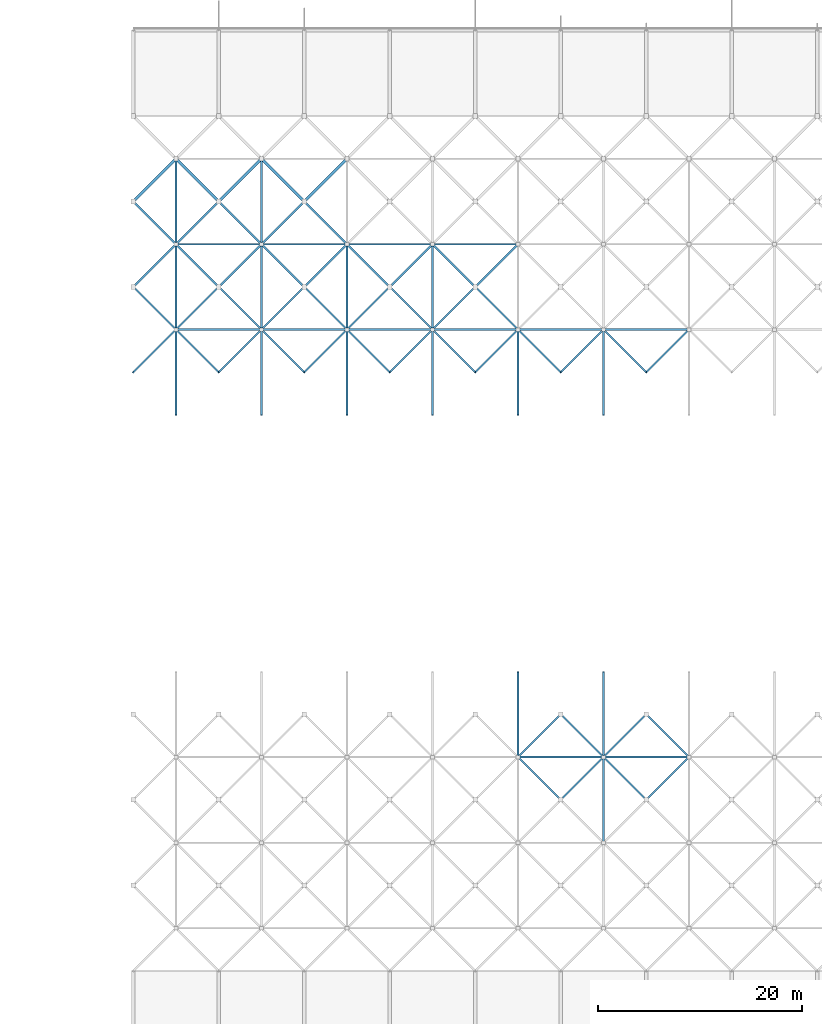
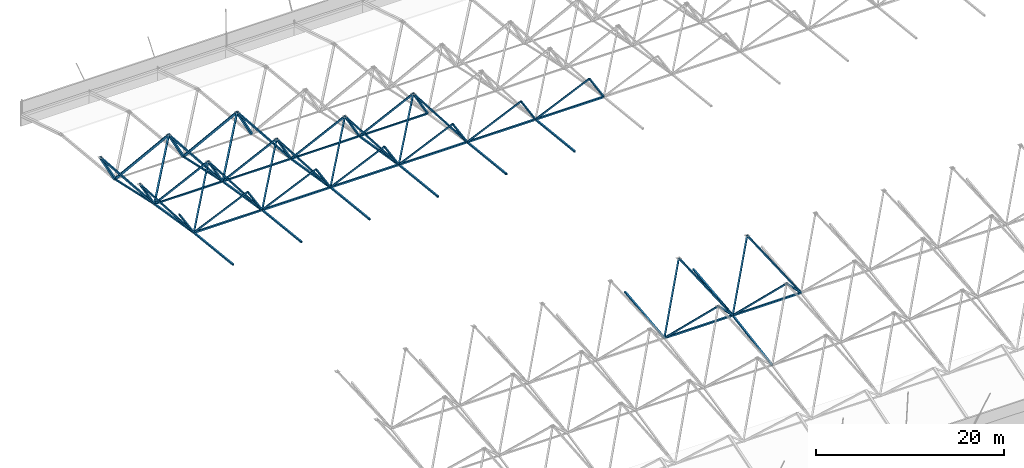
# One storey, part 19 of 85: 76 members.
"""IFC4 building model written with IfcOpenShell, lengths in metres."""

import ifcopenshell
import ifcopenshell.guid

model = None  # the IFC model being written
_history = None  # IfcOwnerHistory: only IFC2X3 demands one
_inside = {}  # id of a spatial element -> (the spatial element, [elements in it])
_under = {}  # id of a project, library or spatial element -> (it, [spatial elements below it])
_declared = {}  # id of a project -> (the project, [libraries it declares])
_typed = {}  # id of a type object -> (the type object, [elements of that type])
_made_of = {}  # id of a material, layer set ... -> (it, [elements and type objects made of it])


def new_model(schema):
    """Start an empty IFC model of exactly this schema.

    Asked for "IFC4X3", IfcOpenShell would pick the latest addendum, in which some entities
    have other attributes; the version numbers below select the first issue.
    IFC2X3 requires an IfcOwnerHistory on every rooted entity: one is made here for all.
    """
    global model, _history
    if schema == "IFC4X3":
        model = ifcopenshell.file(schema_version=(4, 3, 0, 0))
    else:
        model = ifcopenshell.file(schema=schema)
    _inside.clear()
    _under.clear()
    _declared.clear()
    _typed.clear()
    _made_of.clear()
    _history = None
    if model.schema == "IFC2X3":
        org = make("IfcOrganization", Name="unknown")
        user = make(
            "IfcPersonAndOrganization",
            ThePerson=make("IfcPerson", FamilyName="unknown"),
            TheOrganization=org,
        )
        app = make(
            "IfcApplication",
            ApplicationDeveloper=org,
            Version="unknown",
            ApplicationFullName="unknown",
            ApplicationIdentifier="unknown",
        )
        _history = make(
            "IfcOwnerHistory",
            OwningUser=user,
            OwningApplication=app,
            ChangeAction="ADDED",
            CreationDate=0,
        )
    return model


def make(cls, **values):
    """One entity of the class cls with the attributes given. An attribute that is None is left unset."""
    return model.create_entity(
        cls, **{name: value for name, value in values.items() if value is not None}
    )


def rooted(cls, **values):
    """An entity with a GlobalId (a new one), such as an element, a storey or a relation."""
    return make(cls, GlobalId=ifcopenshell.guid.new(), OwnerHistory=_history, **values)


def si_unit(unit_type, name, prefix=None):
    """IfcSIUnit, for example si_unit("LENGTHUNIT", "METRE", prefix="MILLI")."""
    return make("IfcSIUnit", UnitType=unit_type, Prefix=prefix, Name=name)


def assignment(units):
    """IfcUnitAssignment: the units of a project."""
    return None if units is None else make("IfcUnitAssignment", Units=units)


def point(xyz):
    """IfcCartesianPoint."""
    return None if xyz is None else make("IfcCartesianPoint", Coordinates=xyz)


def direction(xyz):
    """IfcDirection."""
    return None if xyz is None else make("IfcDirection", DirectionRatios=xyz)


def frame(location, z_axis=None, x_axis=None):
    """IfcAxis2Placement3D, a coordinate frame: its origin and axes. An axis left out is left unset."""
    return make(
        "IfcAxis2Placement3D",
        Location=point(location),
        Axis=direction(z_axis),
        RefDirection=direction(x_axis),
    )


def frame_2d(location, x_axis=None):
    """IfcAxis2Placement2D, a coordinate frame in the plane: its origin and x axis."""
    return make(
        "IfcAxis2Placement2D", Location=point(location), RefDirection=direction(x_axis)
    )


def origin():
    """The frame at (0, 0, 0) with its axes left unset."""
    return frame((0.0, 0.0, 0.0))


def origin_2d():
    """The frame at (0, 0) in the plane with its x axis left unset."""
    return frame_2d((0.0, 0.0))


def place(relative_to, where):
    """IfcLocalPlacement: puts the frame where relative to a parent placement (None: the world)."""
    return make(
        "IfcLocalPlacement", PlacementRelTo=relative_to, RelativePlacement=where
    )


def context(
    kind, dimensions, precision=None, world=None, true_north=None, identifier=None
):
    """IfcGeometricRepresentationContext, for example the 3D "Model" context."""
    return make(
        "IfcGeometricRepresentationContext",
        ContextIdentifier=identifier,
        ContextType=kind,
        CoordinateSpaceDimension=dimensions,
        Precision=precision,
        WorldCoordinateSystem=world,
        TrueNorth=true_north,
    )


def subcontext(parent, identifier, kind, view, scale=None):
    """IfcGeometricRepresentationSubContext, for example "Body" below "Model"."""
    return make(
        "IfcGeometricRepresentationSubContext",
        ContextIdentifier=identifier,
        ContextType=kind,
        ParentContext=parent,
        TargetScale=scale,
        TargetView=view,
    )


def project(units=None, contexts=None):
    """IfcProject with its units and contexts."""
    return rooted(
        "IfcProject",
        Name="project",
        RepresentationContexts=contexts,
        UnitsInContext=assignment(units),
    )


def spatial(cls, under=None, at=None, **own):
    """A site, building, storey or space (cls), placed at a placement, below another one or the project."""
    s = rooted(cls, ObjectPlacement=at, **own)
    if under is not None:
        _under.setdefault(under.id(), (under, []))[1].append(s)
    return s


def profile(cls, at=None, kind="AREA", **sizes):
    """A parametric profile (cls). Its sizes go by their IFC names, for example OverallWidth=200.0."""
    return make(cls, ProfileType=kind, Position=at, **sizes)


def hollow_rectangle(**sizes):
    """IfcRectangleHollowProfileDef."""
    return profile("IfcRectangleHollowProfileDef", **sizes)


def extrude(swept, where, along, depth):
    """IfcExtrudedAreaSolid: the profile swept, set in the frame where, extruded along a direction by depth."""
    return make(
        "IfcExtrudedAreaSolid",
        SweptArea=swept,
        Position=where,
        ExtrudedDirection=direction(along),
        Depth=depth,
    )


def shape(context_of_items, identifier, shape_type, items):
    """IfcShapeRepresentation: the items that make up one representation, for example the "Body"."""
    return make(
        "IfcShapeRepresentation",
        ContextOfItems=context_of_items,
        RepresentationIdentifier=identifier,
        RepresentationType=shape_type,
        Items=items,
    )


def material(Name=None, Category=None):
    """IfcMaterial."""
    return make("IfcMaterial", Name=Name, Category=Category)


def material_profile(
    of_material, cross_section, Name=None, Category=None, Priority=None
):
    """IfcMaterialProfile: a cross section and its material."""
    return make(
        "IfcMaterialProfile",
        Name=Name,
        Material=of_material,
        Profile=cross_section,
        Priority=Priority,
        Category=Category,
    )


def profile_set(profiles, Name=None, composite=None):
    """IfcMaterialProfileSet."""
    return make(
        "IfcMaterialProfileSet",
        Name=Name,
        MaterialProfiles=profiles,
        CompositeProfile=composite,
    )


def made_of(thing, what):
    """Note that an element or type object is made of a material, layer set ...; save() writes the relation."""
    if what is not None:
        _made_of.setdefault(what.id(), (what, []))[1].append(thing)
    return thing


def type_object(cls, material=None, **own):
    """A type object (cls), such as IfcWallType, which elements share."""
    return made_of(rooted(cls, **own), material)


def element(
    cls,
    number,
    at=None,
    inside=None,
    cuts=None,
    type_object=None,
    material=None,
    context=None,
    identifier="Body",
    shape_type=None,
    held_by="IfcProductDefinitionShape",
    body=None,
    shapes=None,
    **own,
):
    """One element of the class cls, such as IfcWall. Its Tag is "e" and its number.

    at: its placement. inside: the storey or other place that contains it. cuts: it is an
    opening in that element (IfcRelVoidsElement). A single representation is given by context,
    identifier, shape_type and body (its items); several are given by shapes. held_by: the class
    of the entity that holds the representations. save() writes the other relations.
    """
    e = rooted(cls, Tag="e%d" % number, ObjectPlacement=at, **own)
    if body is not None:
        shapes = [shape(context, identifier, shape_type, body)]
    if shapes is not None:
        e.Representation = make(held_by, Representations=shapes)
    if inside is not None:
        _inside.setdefault(inside.id(), (inside, []))[1].append(e)
    if cuts is not None:
        rooted(
            "IfcRelVoidsElement", RelatingBuildingElement=cuts, RelatedOpeningElement=e
        )
    if type_object is not None:
        _typed.setdefault(type_object.id(), (type_object, []))[1].append(e)
    return made_of(e, material)


def aggregate(whole, parts):
    """IfcRelAggregates: a whole, such as a stair, and the parts it consists of."""
    return rooted("IfcRelAggregates", RelatingObject=whole, RelatedObjects=parts)


def save(model, path):
    """Write the relations noted so far, then the file.

    IfcRelAggregates (storeys below a building ...), IfcRelContainedInSpatialStructure (elements
    in a storey), IfcRelDefinesByType, IfcRelAssociatesMaterial and IfcRelDeclares: one each for
    every whole, place, type object, material and project.
    """
    for whole, parts in _under.values():
        aggregate(whole, parts)
    for where, things in _inside.values():
        rooted(
            "IfcRelContainedInSpatialStructure",
            RelatedElements=things,
            RelatingStructure=where,
        )
    for kind, things in _typed.values():
        rooted("IfcRelDefinesByType", RelatedObjects=things, RelatingType=kind)
    for what, things in _made_of.values():
        rooted("IfcRelAssociatesMaterial", RelatedObjects=things, RelatingMaterial=what)
    for by, libraries in _declared.values():
        rooted("IfcRelDeclares", RelatingContext=by, RelatedDefinitions=libraries)
    model.write(path)


model = new_model("IFC4")

# Units and contexts
model_context = context("Model", 3, precision=1e-05, world=origin(), true_north=direction((0.0, 1.0)))
body_context = subcontext(model_context, "Body", "Model", "MODEL_VIEW")
ifc_project = project(units=[si_unit("LENGTHUNIT", "METRE"), si_unit("AREAUNIT", "SQUARE_METRE"), si_unit("VOLUMEUNIT", "CUBIC_METRE"), si_unit("PLANEANGLEUNIT", "RADIAN"), si_unit("MASSUNIT", "GRAM", prefix="KILO")], contexts=[model_context])

# Site, building, storey
site_placement = place(None, origin())
site = spatial("IfcSite", under=ifc_project, at=site_placement, CompositionType="ELEMENT")
building_placement = place(site_placement, origin())
building = spatial("IfcBuilding", under=site, at=building_placement, Name="Rain Tree Exposition and Congress Centre", CompositionType="ELEMENT")
storey_placement = place(building_placement, frame((0.0, 0.0, 15.0)))
storey = spatial("IfcBuildingStorey", under=building, at=storey_placement, Name="L03", CompositionType="ELEMENT", Elevation=15.0)

# Members
ifc_material_1 = material(Name="Steel S355J2H", Category="steel")
ifc_material_profile_1 = material_profile(ifc_material_1, hollow_rectangle(XDim=0.175048828125, YDim=0.175048828125, WallThickness=0.006103515625, at=origin_2d()), Name="RHS 175x175x6")
ifc_profile_set_1 = profile_set([ifc_material_profile_1], Name="Steel S355J2H")
member_type_1 = type_object("IfcMemberType", Name="Steel brace member RHS 175x175x6", PredefinedType="BRACE", material=ifc_profile_set_1)
member_1_placement = place(storey_placement, frame((46.199951171875, 130.199951171875, 3.974609375), z_axis=(0.531205549126, -0.531205549126, 0.660031309223), x_axis=(0.707106781187, 0.707106781187, 0.0)))
element("IfcMember", 1, at=member_1_placement, inside=storey, type_object=member_type_1, Name="Diagonal 637", PredefinedType="BRACE", context=body_context, shape_type="SweptSolid", body=[
    extrude(hollow_rectangle(XDim=0.175048828125, YDim=0.175048828125, WallThickness=0.006103515625, at=origin_2d()), origin(), (0.0, 0.0, 1.0), 7.906494140625),
])
member_2_placement = place(storey_placement, frame((46.199951171875, 130.199951171875, 3.974609375), z_axis=(0.48244694752, 0.48244694752, 0.73108815177), x_axis=(-0.707106781187, 0.707106781187, 0.0)))
element("IfcMember", 2, at=member_2_placement, inside=storey, type_object=member_type_1, Name="Diagonal 639", PredefinedType="BRACE", context=body_context, shape_type="SweptSolid", body=[
    extrude(hollow_rectangle(XDim=0.175048828125, YDim=0.175048828125, WallThickness=0.006103515625, at=origin_2d()), origin(), (0.0, 0.0, 1.0), 8.70556640625),
])
for number, where, z_axis, x_axis, name in (
    (3, (54.60009765625, 130.199951171875, 3.974609375), (-0.531227713919, -0.531196835768, 0.660020482738), (0.70708622964, -0.707127332136, 0.0), "Diagonal 642"),
    (4, (54.60009765625, 130.199951171875, 3.974609375), (0.531205549126, -0.531205549126, 0.660031309223), (0.707106781187, 0.707106781187, 0.0), "Diagonal 643"),
):
    element("IfcMember", number, at=place(storey_placement, frame(where, z_axis=z_axis, x_axis=x_axis)), inside=storey, type_object=member_type_1, Name=name, PredefinedType="BRACE", context=body_context, shape_type="SweptSolid", body=[
        extrude(hollow_rectangle(XDim=0.175048828125, YDim=0.175048828125, WallThickness=0.006103515625, at=origin_2d()), origin(), (0.0, 0.0, 1.0), 7.906494140625),
    ])
for number, where, z_axis, x_axis, name in (
    (5, (54.60009765625, 130.199951171875, 3.974609375), (-0.482468463969, 0.482440419998, 0.731078260125), (-0.70708622964, -0.707127332136, 0.0), "Diagonal 644"),
    (6, (54.60009765625, 130.199951171875, 3.974609375), (0.48244694752, 0.48244694752, 0.73108815177), (-0.707106781187, 0.707106781187, 0.0), "Diagonal 645"),
):
    element("IfcMember", number, at=place(storey_placement, frame(where, z_axis=z_axis, x_axis=x_axis)), inside=storey, type_object=member_type_1, Name=name, PredefinedType="BRACE", context=body_context, shape_type="SweptSolid", body=[
        extrude(hollow_rectangle(XDim=0.175048828125, YDim=0.175048828125, WallThickness=0.006103515625, at=origin_2d()), origin(), (0.0, 0.0, 1.0), 8.70556640625),
    ])
member_3_placement = place(storey_placement, frame((63.0, 130.199951171875, 3.974609375), z_axis=(-0.531205549126, -0.531205549126, 0.660031309223), x_axis=(0.707106781187, -0.707106781187, 0.0)))
element("IfcMember", 7, at=member_3_placement, inside=storey, type_object=member_type_1, Name="Diagonal 648", PredefinedType="BRACE", context=body_context, shape_type="SweptSolid", body=[
    extrude(hollow_rectangle(XDim=0.175048828125, YDim=0.175048828125, WallThickness=0.006103515625, at=origin_2d()), origin(), (0.0, 0.0, 1.0), 7.906494140625),
])
for number, where, z_axis, x_axis, name in (
    (8, (63.0, 130.199951171875, 3.974609375), (-0.48244694752, 0.48244694752, 0.73108815177), (-0.707106781187, -0.707106781187, 0.0), "Diagonal 650"),
    (9, (12.60009765625, 172.199951171875, 3.974609375), (-0.482468463969, -0.482440419998, 0.731078260125), (0.70708622964, -0.707127332136, 0.0), "Diagonal 1027"),
    (10, (12.60009765625, 172.199951171875, 3.974609375), (0.48244694752, -0.48244694752, 0.73108815177), (0.707106781187, 0.707106781187, 0.0), "Diagonal 1028"),
):
    element("IfcMember", number, at=place(storey_placement, frame(where, z_axis=z_axis, x_axis=x_axis)), inside=storey, type_object=member_type_1, Name=name, PredefinedType="BRACE", context=body_context, shape_type="SweptSolid", body=[
        extrude(hollow_rectangle(XDim=0.175048828125, YDim=0.175048828125, WallThickness=0.006103515625, at=origin_2d()), origin(), (0.0, 0.0, 1.0), 8.70556640625),
    ])
for number, where, z_axis, x_axis, name in (
    (11, (12.60009765625, 172.199951171875, 3.974609375), (-0.531227713919, 0.531196835768, 0.660020482738), (-0.70708622964, -0.707127332136, 0.0), "Diagonal 1029"),
    (12, (12.60009765625, 172.199951171875, 3.974609375), (0.531205549126, 0.531205549126, 0.660031309223), (-0.707106781187, 0.707106781187, 0.0), "Diagonal 1030"),
):
    element("IfcMember", number, at=place(storey_placement, frame(where, z_axis=z_axis, x_axis=x_axis)), inside=storey, type_object=member_type_1, Name=name, PredefinedType="BRACE", context=body_context, shape_type="SweptSolid", body=[
        extrude(hollow_rectangle(XDim=0.175048828125, YDim=0.175048828125, WallThickness=0.006103515625, at=origin_2d()), origin(), (0.0, 0.0, 1.0), 7.906494140625),
    ])
for number, where, z_axis, x_axis, name in (
    (13, (21.0, 172.199951171875, 3.974609375), (-0.48244694752, -0.48244694752, 0.73108815177), (0.707106781187, -0.707106781187, 0.0), "Diagonal 1033"),
    (14, (21.0, 172.199951171875, 3.974609375), (0.48244694752, -0.48244694752, 0.73108815177), (0.707106781187, 0.707106781187, 0.0), "Diagonal 1034"),
):
    element("IfcMember", number, at=place(storey_placement, frame(where, z_axis=z_axis, x_axis=x_axis)), inside=storey, type_object=member_type_1, Name=name, PredefinedType="BRACE", context=body_context, shape_type="SweptSolid", body=[
        extrude(hollow_rectangle(XDim=0.175048828125, YDim=0.175048828125, WallThickness=0.006103515625, at=origin_2d()), origin(), (0.0, 0.0, 1.0), 8.70556640625),
    ])
for number, where, z_axis, x_axis, name in (
    (15, (21.0, 172.199951171875, 3.974609375), (-0.531205549126, 0.531205549126, 0.660031309223), (-0.707106781187, -0.707106781187, 0.0), "Diagonal 1035"),
    (16, (21.0, 172.199951171875, 3.974609375), (0.531205549126, 0.531205549126, 0.660031309223), (-0.707106781187, 0.707106781187, 0.0), "Diagonal 1036"),
):
    element("IfcMember", number, at=place(storey_placement, frame(where, z_axis=z_axis, x_axis=x_axis)), inside=storey, type_object=member_type_1, Name=name, PredefinedType="BRACE", context=body_context, shape_type="SweptSolid", body=[
        extrude(hollow_rectangle(XDim=0.175048828125, YDim=0.175048828125, WallThickness=0.006103515625, at=origin_2d()), origin(), (0.0, 0.0, 1.0), 7.906494140625),
    ])
for number, where, z_axis, x_axis, name in (
    (17, (29.39990234375, 172.199951171875, 3.974609375), (-0.48244694752, -0.48244694752, 0.73108815177), (0.707106781187, -0.707106781187, 0.0), "Diagonal 1039"),
    (18, (29.39990234375, 172.199951171875, 3.974609375), (0.482468463969, -0.482440419998, 0.731078260125), (0.70708622964, 0.707127332136, 0.0), "Diagonal 1040"),
):
    element("IfcMember", number, at=place(storey_placement, frame(where, z_axis=z_axis, x_axis=x_axis)), inside=storey, type_object=member_type_1, Name=name, PredefinedType="BRACE", context=body_context, shape_type="SweptSolid", body=[
        extrude(hollow_rectangle(XDim=0.175048828125, YDim=0.175048828125, WallThickness=0.006103515625, at=origin_2d()), origin(), (0.0, 0.0, 1.0), 8.70556640625),
    ])
for number, where, z_axis, x_axis, name in (
    (19, (29.39990234375, 172.199951171875, 3.974609375), (-0.531205549126, 0.531205549126, 0.660031309223), (-0.707106781187, -0.707106781187, 0.0), "Diagonal 1041"),
    (20, (29.39990234375, 172.199951171875, 3.974609375), (0.531227713919, 0.531196835768, 0.660020482738), (-0.70708622964, 0.707127332136, 0.0), "Diagonal 1042"),
):
    element("IfcMember", number, at=place(storey_placement, frame(where, z_axis=z_axis, x_axis=x_axis)), inside=storey, type_object=member_type_1, Name=name, PredefinedType="BRACE", context=body_context, shape_type="SweptSolid", body=[
        extrude(hollow_rectangle(XDim=0.175048828125, YDim=0.175048828125, WallThickness=0.006103515625, at=origin_2d()), origin(), (0.0, 0.0, 1.0), 7.906494140625),
    ])
for number, where, z_axis, x_axis, name in (
    (21, (37.800048828125, 172.199951171875, 3.974609375), (-0.48244694752, -0.48244694752, 0.73108815177), (0.707106781187, -0.707106781187, 0.0), "Diagonal 1045"),
    (22, (37.800048828125, 172.199951171875, 3.974609375), (0.48244694752, -0.48244694752, 0.73108815177), (0.707106781187, 0.707106781187, 0.0), "Diagonal 1046"),
):
    element("IfcMember", number, at=place(storey_placement, frame(where, z_axis=z_axis, x_axis=x_axis)), inside=storey, type_object=member_type_1, Name=name, PredefinedType="BRACE", context=body_context, shape_type="SweptSolid", body=[
        extrude(hollow_rectangle(XDim=0.175048828125, YDim=0.175048828125, WallThickness=0.006103515625, at=origin_2d()), origin(), (0.0, 0.0, 1.0), 8.70556640625),
    ])
for number, where, z_axis, x_axis, name in (
    (23, (37.800048828125, 172.199951171875, 3.974609375), (-0.531205549126, 0.531205549126, 0.660031309223), (-0.707106781187, -0.707106781187, 0.0), "Diagonal 1047"),
    (24, (37.800048828125, 172.199951171875, 3.974609375), (0.531205549126, 0.531205549126, 0.660031309223), (-0.707106781187, 0.707106781187, 0.0), "Diagonal 1048"),
):
    element("IfcMember", number, at=place(storey_placement, frame(where, z_axis=z_axis, x_axis=x_axis)), inside=storey, type_object=member_type_1, Name=name, PredefinedType="BRACE", context=body_context, shape_type="SweptSolid", body=[
        extrude(hollow_rectangle(XDim=0.175048828125, YDim=0.175048828125, WallThickness=0.006103515625, at=origin_2d()), origin(), (0.0, 0.0, 1.0), 7.906494140625),
    ])
for number, where, z_axis, x_axis, name in (
    (25, (46.199951171875, 172.199951171875, 3.974609375), (-0.48244694752, -0.48244694752, 0.73108815177), (0.707106781187, -0.707106781187, 0.0), "Diagonal 1051"),
    (26, (46.199951171875, 172.199951171875, 3.974609375), (0.48244694752, -0.48244694752, 0.73108815177), (0.707106781187, 0.707106781187, 0.0), "Diagonal 1052"),
):
    element("IfcMember", number, at=place(storey_placement, frame(where, z_axis=z_axis, x_axis=x_axis)), inside=storey, type_object=member_type_1, Name=name, PredefinedType="BRACE", context=body_context, shape_type="SweptSolid", body=[
        extrude(hollow_rectangle(XDim=0.175048828125, YDim=0.175048828125, WallThickness=0.006103515625, at=origin_2d()), origin(), (0.0, 0.0, 1.0), 8.70556640625),
    ])
member_4_placement = place(storey_placement, frame((46.199951171875, 172.199951171875, 3.974609375), z_axis=(-0.531205549126, 0.531205549126, 0.660031309223), x_axis=(-0.707106781187, -0.707106781187, 0.0)))
element("IfcMember", 27, at=member_4_placement, inside=storey, type_object=member_type_1, Name="Diagonal 1053", PredefinedType="BRACE", context=body_context, shape_type="SweptSolid", body=[
    extrude(hollow_rectangle(XDim=0.175048828125, YDim=0.175048828125, WallThickness=0.006103515625, at=origin_2d()), origin(), (0.0, 0.0, 1.0), 7.906494140625),
])
for number, where, z_axis, x_axis, name in (
    (28, (54.60009765625, 172.199951171875, 3.974609375), (-0.482468463969, -0.482440419998, 0.731078260125), (0.70708622964, -0.707127332136, 0.0), "Diagonal 1057"),
    (29, (54.60009765625, 172.199951171875, 3.974609375), (0.48244694752, -0.48244694752, 0.73108815177), (0.707106781187, 0.707106781187, 0.0), "Diagonal 1058"),
    (30, (63.0, 172.199951171875, 3.974609375), (-0.48244694752, -0.48244694752, 0.73108815177), (0.707106781187, -0.707106781187, 0.0), "Diagonal 1063"),
):
    element("IfcMember", number, at=place(storey_placement, frame(where, z_axis=z_axis, x_axis=x_axis)), inside=storey, type_object=member_type_1, Name=name, PredefinedType="BRACE", context=body_context, shape_type="SweptSolid", body=[
        extrude(hollow_rectangle(XDim=0.175048828125, YDim=0.175048828125, WallThickness=0.006103515625, at=origin_2d()), origin(), (0.0, 0.0, 1.0), 8.70556640625),
    ])
ifc_material_2 = material(Name="Steel S355J2H", Category="steel")
ifc_material_profile_2 = material_profile(ifc_material_2, hollow_rectangle(XDim=0.199951171875, YDim=0.199951171875, WallThickness=0.009033203125, at=origin_2d()), Name="RHS 200x200x9")
ifc_profile_set_2 = profile_set([ifc_material_profile_2], Name="Steel S355J2H")
member_type_2 = type_object("IfcMemberType", Name="Steel brace member RHS 200x200x9", PredefinedType="BRACE", material=ifc_profile_set_2)
member_5_placement = place(storey_placement, frame((12.60009765625, 180.60009765625, 2.593505859375), z_axis=(-0.473043785931, -0.473043785931, 0.743275960316), x_axis=(0.707106781187, -0.707106781187, 0.0)))
element("IfcMember", 31, at=member_5_placement, inside=storey, type_object=member_type_2, Name="Diagonal 1110", PredefinedType="BRACE", context=body_context, shape_type="SweptSolid", body=[
    extrude(hollow_rectangle(XDim=0.199951171875, YDim=0.199951171875, WallThickness=0.009033203125, at=origin_2d()), origin(), (0.0, 0.0, 1.0), 8.879150390625),
])
member_6_placement = place(storey_placement, frame((12.60009765625, 180.60009765625, 2.593505859375), z_axis=(0.473022442189, -0.473049938698, 0.743285627928), x_axis=(0.707127332136, 0.70708622964, 0.0)))
element("IfcMember", 32, at=member_6_placement, inside=storey, type_object=member_type_2, Name="Diagonal 1111", PredefinedType="BRACE", context=body_context, shape_type="SweptSolid", body=[
    extrude(hollow_rectangle(XDim=0.199951171875, YDim=0.199951171875, WallThickness=0.009033203125, at=origin_2d()), origin(), (0.0, 0.0, 1.0), 8.87890625),
])
member_7_placement = place(storey_placement, frame((12.60009765625, 180.60009765625, 2.593505859375), z_axis=(-0.541842377579, 0.54181088244, 0.642532338119), x_axis=(-0.70708622964, -0.707127332136, 0.0)))
element("IfcMember", 33, at=member_7_placement, inside=storey, type_object=member_type_2, Name="Diagonal 1112", PredefinedType="BRACE", context=body_context, shape_type="SweptSolid", body=[
    extrude(hollow_rectangle(XDim=0.199951171875, YDim=0.199951171875, WallThickness=0.009033203125, at=origin_2d()), origin(), (0.0, 0.0, 1.0), 7.751708984375),
])
member_8_placement = place(storey_placement, frame((12.60009765625, 180.60009765625, 2.593505859375), z_axis=(0.541820128628, 0.541820128628, 0.642543303153), x_axis=(-0.707106781187, 0.707106781187, 0.0)))
element("IfcMember", 34, at=member_8_placement, inside=storey, type_object=member_type_2, Name="Diagonal 1113", PredefinedType="BRACE", context=body_context, shape_type="SweptSolid", body=[
    extrude(hollow_rectangle(XDim=0.199951171875, YDim=0.199951171875, WallThickness=0.009033203125, at=origin_2d()), origin(), (0.0, 0.0, 1.0), 7.75146484375),
])
for number, where, z_axis, x_axis, name in (
    (35, (21.0, 180.60009765625, 2.593505859375), (-0.473022442189, -0.473049938698, 0.743285627928), (0.707127332136, -0.70708622964, 0.0), "Diagonal 1116"),
    (36, (21.0, 180.60009765625, 2.593505859375), (0.473022442189, -0.473049938698, 0.743285627928), (0.707127332136, 0.70708622964, 0.0), "Diagonal 1117"),
):
    element("IfcMember", number, at=place(storey_placement, frame(where, z_axis=z_axis, x_axis=x_axis)), inside=storey, type_object=member_type_2, Name=name, PredefinedType="BRACE", context=body_context, shape_type="SweptSolid", body=[
        extrude(hollow_rectangle(XDim=0.199951171875, YDim=0.199951171875, WallThickness=0.009033203125, at=origin_2d()), origin(), (0.0, 0.0, 1.0), 8.87890625),
    ])
for number, where, z_axis, x_axis, name in (
    (37, (21.0, 180.60009765625, 2.593505859375), (-0.541820128628, 0.541820128628, 0.642543303153), (-0.707106781187, -0.707106781187, 0.0), "Diagonal 1118"),
    (38, (21.0, 180.60009765625, 2.593505859375), (0.541820128628, 0.541820128628, 0.642543303153), (-0.707106781187, 0.707106781187, 0.0), "Diagonal 1119"),
):
    element("IfcMember", number, at=place(storey_placement, frame(where, z_axis=z_axis, x_axis=x_axis)), inside=storey, type_object=member_type_2, Name=name, PredefinedType="BRACE", context=body_context, shape_type="SweptSolid", body=[
        extrude(hollow_rectangle(XDim=0.199951171875, YDim=0.199951171875, WallThickness=0.009033203125, at=origin_2d()), origin(), (0.0, 0.0, 1.0), 7.75146484375),
    ])
member_9_placement = place(storey_placement, frame((29.39990234375, 180.60009765625, 2.593505859375), z_axis=(-0.473022442189, -0.473049938698, 0.743285627928), x_axis=(0.707127332136, -0.70708622964, 0.0)))
element("IfcMember", 39, at=member_9_placement, inside=storey, type_object=member_type_2, Name="Diagonal 1122", PredefinedType="BRACE", context=body_context, shape_type="SweptSolid", body=[
    extrude(hollow_rectangle(XDim=0.199951171875, YDim=0.199951171875, WallThickness=0.009033203125, at=origin_2d()), origin(), (0.0, 0.0, 1.0), 8.87890625),
])
member_10_placement = place(storey_placement, frame((29.39990234375, 180.60009765625, 2.593505859375), z_axis=(0.473043785931, -0.473043785931, 0.743275960316), x_axis=(0.707106781187, 0.707106781187, 0.0)))
element("IfcMember", 40, at=member_10_placement, inside=storey, type_object=member_type_2, Name="Diagonal 1123", PredefinedType="BRACE", context=body_context, shape_type="SweptSolid", body=[
    extrude(hollow_rectangle(XDim=0.199951171875, YDim=0.199951171875, WallThickness=0.009033203125, at=origin_2d()), origin(), (0.0, 0.0, 1.0), 8.879150390625),
])
member_11_placement = place(storey_placement, frame((29.39990234375, 180.60009765625, 2.593505859375), z_axis=(-0.541820128628, 0.541820128628, 0.642543303153), x_axis=(-0.707106781187, -0.707106781187, 0.0)))
element("IfcMember", 41, at=member_11_placement, inside=storey, type_object=member_type_2, Name="Diagonal 1124", PredefinedType="BRACE", context=body_context, shape_type="SweptSolid", body=[
    extrude(hollow_rectangle(XDim=0.199951171875, YDim=0.199951171875, WallThickness=0.009033203125, at=origin_2d()), origin(), (0.0, 0.0, 1.0), 7.75146484375),
])
for number, where, z_axis, x_axis, name in (
    (42, (37.800048828125, 180.60009765625, 2.593505859375), (-0.473022442189, -0.473049938698, 0.743285627928), (0.707127332136, -0.70708622964, 0.0), "Diagonal 1128"),
    (43, (37.800048828125, 180.60009765625, 2.593505859375), (0.473022442189, -0.473049938698, 0.743285627928), (0.707127332136, 0.70708622964, 0.0), "Diagonal 1129"),
    (44, (46.199951171875, 180.60009765625, 2.593505859375), (-0.473022442189, -0.473049938698, 0.743285627928), (0.707127332136, -0.70708622964, 0.0), "Diagonal 1134"),
):
    element("IfcMember", number, at=place(storey_placement, frame(where, z_axis=z_axis, x_axis=x_axis)), inside=storey, type_object=member_type_2, Name=name, PredefinedType="BRACE", context=body_context, shape_type="SweptSolid", body=[
        extrude(hollow_rectangle(XDim=0.199951171875, YDim=0.199951171875, WallThickness=0.009033203125, at=origin_2d()), origin(), (0.0, 0.0, 1.0), 8.87890625),
    ])
ifc_material_3 = material(Name="Steel S355J2H", Category="steel")
ifc_material_profile_3 = material_profile(ifc_material_3, hollow_rectangle(XDim=0.25, YDim=0.25, WallThickness=0.006103515625, at=origin_2d()), Name="RHS 250x250x6")
ifc_profile_set_3 = profile_set([ifc_material_profile_3], Name="Steel S355J2H")
member_type_3 = type_object("IfcMemberType", Name="Steel brace member RHS 250x250x6", PredefinedType="BRACE", material=ifc_profile_set_3)
member_12_placement = place(storey_placement, frame((12.60009765625, 189.0, 0.732666015625), z_axis=(-0.463585081915, -0.46355813556, 0.755117690682), x_axis=(0.70708622964, -0.707127332136, 0.0)))
element("IfcMember", 45, at=member_12_placement, inside=storey, type_object=member_type_3, Name="Diagonal 1193", PredefinedType="BRACE", context=body_context, shape_type="SweptSolid", body=[
    extrude(hollow_rectangle(XDim=0.25, YDim=0.25, WallThickness=0.006103515625, at=origin_2d()), origin(), (0.0, 0.0, 1.0), 9.060302734375),
])
for number, where, z_axis, x_axis, name in (
    (46, (12.60009765625, 189.0, 0.732666015625), (0.463563926235, -0.463563926235, 0.755127123461), (0.707106781187, 0.707106781187, 0.0), "Diagonal 1194"),
    (47, (21.0, 189.0, 0.732666015625), (-0.463563926235, -0.463563926235, 0.755127123461), (0.707106781187, -0.707106781187, 0.0), "Diagonal 1199"),
    (48, (21.0, 189.0, 0.732666015625), (0.463563926235, -0.463563926235, 0.755127123461), (0.707106781187, 0.707106781187, 0.0), "Diagonal 1200"),
    (49, (29.39990234375, 189.0, 0.732666015625), (-0.463563926235, -0.463563926235, 0.755127123461), (0.707106781187, -0.707106781187, 0.0), "Diagonal 1205"),
):
    element("IfcMember", number, at=place(storey_placement, frame(where, z_axis=z_axis, x_axis=x_axis)), inside=storey, type_object=member_type_3, Name=name, PredefinedType="BRACE", context=body_context, shape_type="SweptSolid", body=[
        extrude(hollow_rectangle(XDim=0.25, YDim=0.25, WallThickness=0.006103515625, at=origin_2d()), origin(), (0.0, 0.0, 1.0), 9.06005859375),
    ])
ifc_material_4 = material(Name="Steel S355J2H", Category="steel")
ifc_material_profile_4 = material_profile(ifc_material_4, hollow_rectangle(XDim=0.175048828125, YDim=0.175048828125, WallThickness=0.006103515625, at=origin_2d()), Name="RHS 175x175x6")
ifc_profile_set_4 = profile_set([ifc_material_profile_4], Name="Steel S355J2H")
member_type_4 = type_object("IfcMemberType", Name="Steel chord member RHS 175x175x6", PredefinedType="CHORD", material=ifc_profile_set_4)
member_13_placement = place(storey_placement, frame((12.60009765625, 180.60009765625, 2.593505859375), z_axis=(1.0, 0.0, 0.0), x_axis=(0.0, 1.0, 0.0)))
element("IfcMember", 50, at=member_13_placement, inside=storey, type_object=member_type_4, Name="Bottom chord 1114", PredefinedType="CHORD", context=body_context, shape_type="SweptSolid", body=[
    extrude(hollow_rectangle(XDim=0.175048828125, YDim=0.175048828125, WallThickness=0.006103515625, at=origin_2d()), origin(), (0.0, 0.0, 1.0), 8.39990234375),
])
member_14_placement = place(storey_placement, frame((12.60009765625, 180.60009765625, 2.593505859375), z_axis=(0.0, 0.976329733604, -0.21628742747), x_axis=(-1.0, 0.0, 0.0)))
element("IfcMember", 51, at=member_14_placement, inside=storey, type_object=member_type_4, Name="Bottom chord 1115", PredefinedType="CHORD", context=body_context, shape_type="SweptSolid", body=[
    extrude(hollow_rectangle(XDim=0.175048828125, YDim=0.175048828125, WallThickness=0.006103515625, at=origin_2d()), origin(), (0.0, 0.0, 1.0), 8.603515625),
])
member_15_placement = place(storey_placement, frame((21.0, 180.60009765625, 2.593505859375), z_axis=(1.0, 0.0, 0.0), x_axis=(0.0, 1.0, 0.0)))
element("IfcMember", 52, at=member_15_placement, inside=storey, type_object=member_type_4, Name="Bottom chord 1120", PredefinedType="CHORD", context=body_context, shape_type="SweptSolid", body=[
    extrude(hollow_rectangle(XDim=0.175048828125, YDim=0.175048828125, WallThickness=0.006103515625, at=origin_2d()), origin(), (0.0, 0.0, 1.0), 8.39990234375),
])
member_16_placement = place(storey_placement, frame((21.0, 180.60009765625, 2.593505859375), z_axis=(0.0, 0.976329733604, -0.21628742747), x_axis=(-1.0, 0.0, 0.0)))
element("IfcMember", 53, at=member_16_placement, inside=storey, type_object=member_type_4, Name="Bottom chord 1121", PredefinedType="CHORD", context=body_context, shape_type="SweptSolid", body=[
    extrude(hollow_rectangle(XDim=0.175048828125, YDim=0.175048828125, WallThickness=0.006103515625, at=origin_2d()), origin(), (0.0, 0.0, 1.0), 8.603515625),
])
member_17_placement = place(storey_placement, frame((29.39990234375, 180.60009765625, 2.593505859375), z_axis=(1.0, 0.0, 0.0), x_axis=(0.0, 1.0, 0.0)))
element("IfcMember", 54, at=member_17_placement, inside=storey, type_object=member_type_4, Name="Bottom chord 1126", PredefinedType="CHORD", context=body_context, shape_type="SweptSolid", body=[
    extrude(hollow_rectangle(XDim=0.175048828125, YDim=0.175048828125, WallThickness=0.006103515625, at=origin_2d()), origin(), (0.0, 0.0, 1.0), 8.400146484375),
])
member_18_placement = place(storey_placement, frame((37.800048828125, 180.60009765625, 2.593505859375), z_axis=(1.0, 0.0, 0.0), x_axis=(0.0, 1.0, 0.0)))
element("IfcMember", 55, at=member_18_placement, inside=storey, type_object=member_type_4, Name="Bottom chord 1132", PredefinedType="CHORD", context=body_context, shape_type="SweptSolid", body=[
    extrude(hollow_rectangle(XDim=0.175048828125, YDim=0.175048828125, WallThickness=0.006103515625, at=origin_2d()), origin(), (0.0, 0.0, 1.0), 8.39990234375),
])
ifc_material_5 = material(Name="Steel S355J2H", Category="steel")
ifc_material_profile_5 = material_profile(ifc_material_5, hollow_rectangle(XDim=0.199951171875, YDim=0.199951171875, WallThickness=0.009033203125, at=origin_2d()), Name="RHS 200x200x9")
ifc_profile_set_5 = profile_set([ifc_material_profile_5], Name="Steel S355J2H")
member_type_5 = type_object("IfcMemberType", Name="Steel chord member RHS 200x200x9", PredefinedType="CHORD", material=ifc_profile_set_5)
member_19_placement = place(storey_placement, frame((54.60009765625, 121.800048828125, 2.593505859375), z_axis=(0.0, 0.986751221358, 0.162240645795), x_axis=(-1.0, 0.0, 0.0)))
element("IfcMember", 56, at=member_19_placement, inside=storey, type_object=member_type_5, Name="Bottom chord 564", PredefinedType="CHORD", context=body_context, shape_type="SweptSolid", body=[
    extrude(hollow_rectangle(XDim=0.199951171875, YDim=0.199951171875, WallThickness=0.009033203125, at=origin_2d()), origin(), (0.0, 0.0, 1.0), 8.5126953125),
])
member_20_placement = place(storey_placement, frame((46.199951171875, 130.199951171875, 3.974609375), z_axis=(1.0, 0.0, 0.0), x_axis=(0.0, 1.0, 0.0)))
element("IfcMember", 57, at=member_20_placement, inside=storey, type_object=member_type_5, Name="Bottom chord 640", PredefinedType="CHORD", context=body_context, shape_type="SweptSolid", body=[
    extrude(hollow_rectangle(XDim=0.199951171875, YDim=0.199951171875, WallThickness=0.009033203125, at=origin_2d()), origin(), (0.0, 0.0, 1.0), 8.400146484375),
])
member_21_placement = place(storey_placement, frame((46.199951171875, 130.199951171875, 3.974609375), z_axis=(0.0, 0.994137916016, 0.108119396685), x_axis=(-1.0, 0.0, 0.0)))
element("IfcMember", 58, at=member_21_placement, inside=storey, type_object=member_type_5, Name="Bottom chord 641", PredefinedType="CHORD", context=body_context, shape_type="SweptSolid", body=[
    extrude(hollow_rectangle(XDim=0.199951171875, YDim=0.199951171875, WallThickness=0.009033203125, at=origin_2d()), origin(), (0.0, 0.0, 1.0), 8.44970703125),
])
member_22_placement = place(storey_placement, frame((54.60009765625, 130.199951171875, 3.974609375), z_axis=(1.0, 0.0, 0.0), x_axis=(0.0, 1.0, 0.0)))
element("IfcMember", 59, at=member_22_placement, inside=storey, type_object=member_type_5, Name="Bottom chord 646", PredefinedType="CHORD", context=body_context, shape_type="SweptSolid", body=[
    extrude(hollow_rectangle(XDim=0.199951171875, YDim=0.199951171875, WallThickness=0.009033203125, at=origin_2d()), origin(), (0.0, 0.0, 1.0), 8.39990234375),
])
member_23_placement = place(storey_placement, frame((54.60009765625, 130.199951171875, 3.974609375), z_axis=(0.0, 0.994137916016, 0.108119396685), x_axis=(-1.0, 0.0, 0.0)))
element("IfcMember", 60, at=member_23_placement, inside=storey, type_object=member_type_5, Name="Bottom chord 647", PredefinedType="CHORD", context=body_context, shape_type="SweptSolid", body=[
    extrude(hollow_rectangle(XDim=0.199951171875, YDim=0.199951171875, WallThickness=0.009033203125, at=origin_2d()), origin(), (0.0, 0.0, 1.0), 8.44970703125),
])
for number, where, z_axis, x_axis, name in (
    (61, (12.60009765625, 163.800048828125, 4.88818359375), (0.0, 0.994137578242, -0.108122502406), (-1.0, 0.0, 0.0), "Bottom chord 949"),
    (62, (21.0, 163.800048828125, 4.88818359375), (0.0, 0.994137578242, -0.108122502406), (-1.0, 0.0, 0.0), "Bottom chord 955"),
    (63, (29.39990234375, 163.800048828125, 4.88818359375), (0.0, 0.994137578242, -0.108122502406), (-1.0, 0.0, 0.0), "Bottom chord 961"),
    (64, (37.800048828125, 163.800048828125, 4.88818359375), (0.0, 0.994137578242, -0.108122502406), (-1.0, 0.0, 0.0), "Bottom chord 967"),
    (65, (46.199951171875, 163.800048828125, 4.88818359375), (0.0, 0.994137578242, -0.108122502406), (-1.0, 0.0, 0.0), "Bottom chord 973"),
    (66, (54.60009765625, 163.800048828125, 4.88818359375), (0.0, 0.994137578242, -0.108122502406), (-1.0, 0.0, 0.0), "Bottom chord 979"),
):
    element("IfcMember", number, at=place(storey_placement, frame(where, z_axis=z_axis, x_axis=x_axis)), inside=storey, type_object=member_type_5, Name=name, PredefinedType="CHORD", context=body_context, shape_type="SweptSolid", body=[
        extrude(hollow_rectangle(XDim=0.199951171875, YDim=0.199951171875, WallThickness=0.009033203125, at=origin_2d()), origin(), (0.0, 0.0, 1.0), 8.449462890625),
    ])
member_24_placement = place(storey_placement, frame((12.60009765625, 172.199951171875, 3.974609375), z_axis=(1.0, 0.0, 0.0), x_axis=(0.0, 1.0, 0.0)))
element("IfcMember", 67, at=member_24_placement, inside=storey, type_object=member_type_5, Name="Bottom chord 1031", PredefinedType="CHORD", context=body_context, shape_type="SweptSolid", body=[
    extrude(hollow_rectangle(XDim=0.199951171875, YDim=0.199951171875, WallThickness=0.009033203125, at=origin_2d()), origin(), (0.0, 0.0, 1.0), 8.39990234375),
])
member_25_placement = place(storey_placement, frame((12.60009765625, 172.199951171875, 3.974609375), z_axis=(0.0, 0.986751976232, -0.162236054569), x_axis=(-1.0, 0.0, 0.0)))
element("IfcMember", 68, at=member_25_placement, inside=storey, type_object=member_type_5, Name="Bottom chord 1032", PredefinedType="CHORD", context=body_context, shape_type="SweptSolid", body=[
    extrude(hollow_rectangle(XDim=0.199951171875, YDim=0.199951171875, WallThickness=0.009033203125, at=origin_2d()), origin(), (0.0, 0.0, 1.0), 8.512939453125),
])
member_26_placement = place(storey_placement, frame((21.0, 172.199951171875, 3.974609375), z_axis=(1.0, 0.0, 0.0), x_axis=(0.0, 1.0, 0.0)))
element("IfcMember", 69, at=member_26_placement, inside=storey, type_object=member_type_5, Name="Bottom chord 1037", PredefinedType="CHORD", context=body_context, shape_type="SweptSolid", body=[
    extrude(hollow_rectangle(XDim=0.199951171875, YDim=0.199951171875, WallThickness=0.009033203125, at=origin_2d()), origin(), (0.0, 0.0, 1.0), 8.39990234375),
])
member_27_placement = place(storey_placement, frame((21.0, 172.199951171875, 3.974609375), z_axis=(0.0, 0.986751976232, -0.162236054569), x_axis=(-1.0, 0.0, 0.0)))
element("IfcMember", 70, at=member_27_placement, inside=storey, type_object=member_type_5, Name="Bottom chord 1038", PredefinedType="CHORD", context=body_context, shape_type="SweptSolid", body=[
    extrude(hollow_rectangle(XDim=0.199951171875, YDim=0.199951171875, WallThickness=0.009033203125, at=origin_2d()), origin(), (0.0, 0.0, 1.0), 8.512939453125),
])
member_28_placement = place(storey_placement, frame((29.39990234375, 172.199951171875, 3.974609375), z_axis=(1.0, 0.0, 0.0), x_axis=(0.0, 1.0, 0.0)))
element("IfcMember", 71, at=member_28_placement, inside=storey, type_object=member_type_5, Name="Bottom chord 1043", PredefinedType="CHORD", context=body_context, shape_type="SweptSolid", body=[
    extrude(hollow_rectangle(XDim=0.199951171875, YDim=0.199951171875, WallThickness=0.009033203125, at=origin_2d()), origin(), (0.0, 0.0, 1.0), 8.400146484375),
])
member_29_placement = place(storey_placement, frame((29.39990234375, 172.199951171875, 3.974609375), z_axis=(0.0, 0.986751976232, -0.162236054569), x_axis=(-1.0, 0.0, 0.0)))
element("IfcMember", 72, at=member_29_placement, inside=storey, type_object=member_type_5, Name="Bottom chord 1044", PredefinedType="CHORD", context=body_context, shape_type="SweptSolid", body=[
    extrude(hollow_rectangle(XDim=0.199951171875, YDim=0.199951171875, WallThickness=0.009033203125, at=origin_2d()), origin(), (0.0, 0.0, 1.0), 8.512939453125),
])
member_30_placement = place(storey_placement, frame((37.800048828125, 172.199951171875, 3.974609375), z_axis=(1.0, 0.0, 0.0), x_axis=(0.0, 1.0, 0.0)))
element("IfcMember", 73, at=member_30_placement, inside=storey, type_object=member_type_5, Name="Bottom chord 1049", PredefinedType="CHORD", context=body_context, shape_type="SweptSolid", body=[
    extrude(hollow_rectangle(XDim=0.199951171875, YDim=0.199951171875, WallThickness=0.009033203125, at=origin_2d()), origin(), (0.0, 0.0, 1.0), 8.39990234375),
])
member_31_placement = place(storey_placement, frame((37.800048828125, 172.199951171875, 3.974609375), z_axis=(0.0, 0.986751976232, -0.162236054569), x_axis=(-1.0, 0.0, 0.0)))
element("IfcMember", 74, at=member_31_placement, inside=storey, type_object=member_type_5, Name="Bottom chord 1050", PredefinedType="CHORD", context=body_context, shape_type="SweptSolid", body=[
    extrude(hollow_rectangle(XDim=0.199951171875, YDim=0.199951171875, WallThickness=0.009033203125, at=origin_2d()), origin(), (0.0, 0.0, 1.0), 8.512939453125),
])
member_32_placement = place(storey_placement, frame((46.199951171875, 172.199951171875, 3.974609375), z_axis=(1.0, 0.0, 0.0), x_axis=(0.0, 1.0, 0.0)))
element("IfcMember", 75, at=member_32_placement, inside=storey, type_object=member_type_5, Name="Bottom chord 1055", PredefinedType="CHORD", context=body_context, shape_type="SweptSolid", body=[
    extrude(hollow_rectangle(XDim=0.199951171875, YDim=0.199951171875, WallThickness=0.009033203125, at=origin_2d()), origin(), (0.0, 0.0, 1.0), 8.400146484375),
])
member_33_placement = place(storey_placement, frame((54.60009765625, 172.199951171875, 3.974609375), z_axis=(1.0, 0.0, 0.0), x_axis=(0.0, 1.0, 0.0)))
element("IfcMember", 76, at=member_33_placement, inside=storey, type_object=member_type_5, Name="Bottom chord 1061", PredefinedType="CHORD", context=body_context, shape_type="SweptSolid", body=[
    extrude(hollow_rectangle(XDim=0.199951171875, YDim=0.199951171875, WallThickness=0.009033203125, at=origin_2d()), origin(), (0.0, 0.0, 1.0), 8.39990234375),
])

save(model, "model.ifc")
